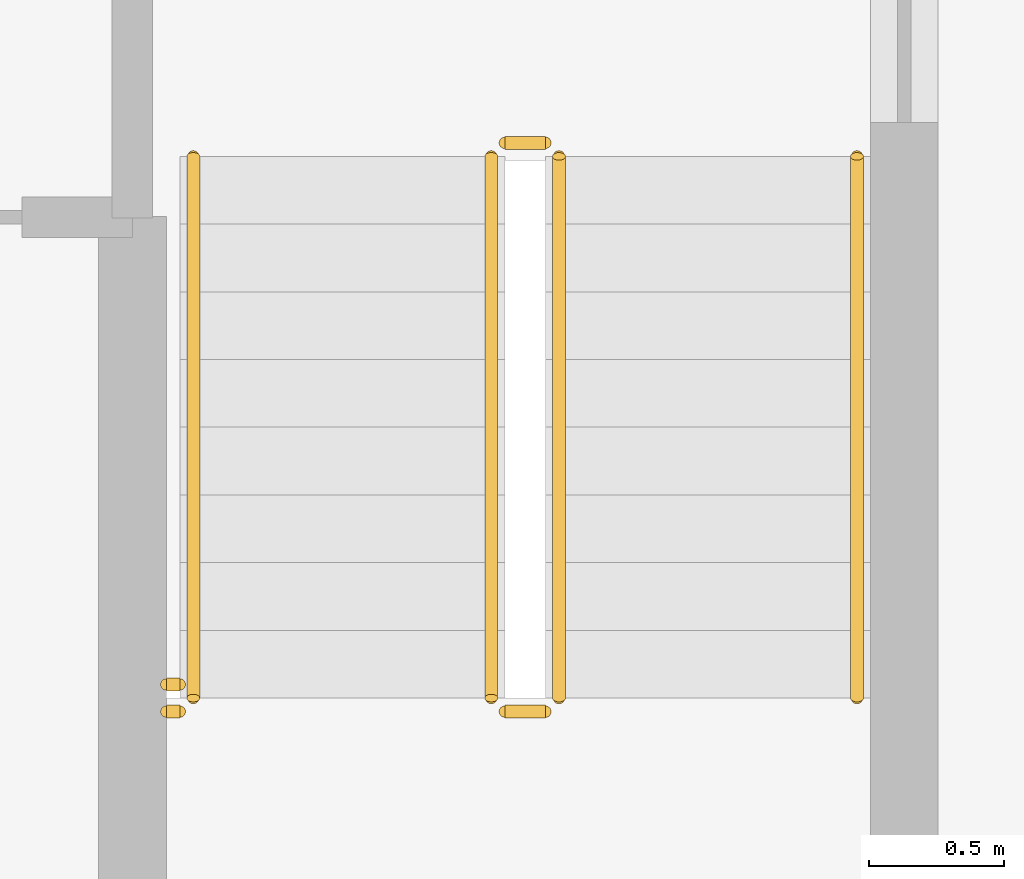
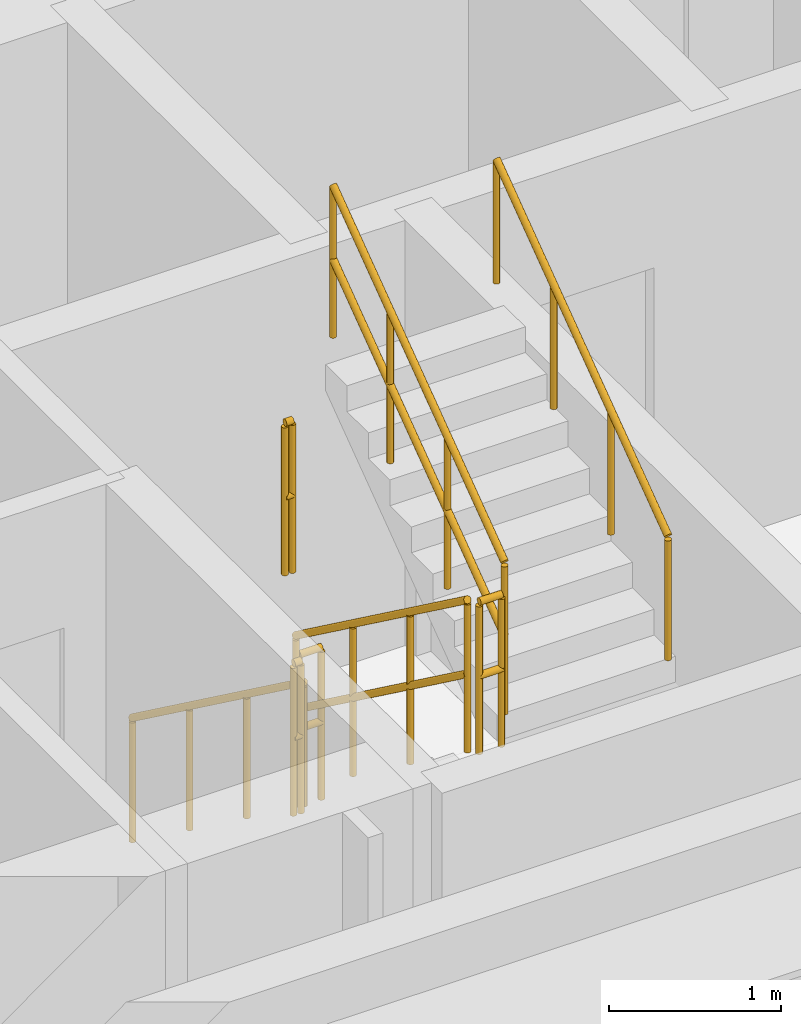
# One storey, part 15 of 17: 8 railings.
"""IFC4 building model written with IfcOpenShell, lengths in metres."""

from ifc_helpers import new_model, si_unit, direction, frame, origin, origin_2d, place, context, subcontext, project, spatial, circle, extrude, material, type_object, element, save


model = new_model("IFC4")

# Units and contexts
model_context = context("Model", 3, precision=1e-05, world=origin(), true_north=direction((0.0, 1.0)))
body_context = subcontext(model_context, "Body", "Model", "MODEL_VIEW")
ifc_project = project(units=[si_unit("LENGTHUNIT", "METRE"), si_unit("AREAUNIT", "SQUARE_METRE"), si_unit("VOLUMEUNIT", "CUBIC_METRE"), si_unit("PLANEANGLEUNIT", "RADIAN"), si_unit("MASSUNIT", "GRAM", prefix="KILO")], contexts=[model_context])

# Site, building, storey
site_placement = place(None, origin())
site = spatial("IfcSite", under=ifc_project, at=site_placement, CompositionType="ELEMENT")
building_placement = place(site_placement, origin())
building = spatial("IfcBuilding", under=site, at=building_placement, Name="Nakaniwa Court", CompositionType="ELEMENT")
storey_placement = place(building_placement, frame((0.0, 0.0, 203.10009765625)))
storey = spatial("IfcBuildingStorey", under=building, at=storey_placement, Name="L53", CompositionType="ELEMENT", Elevation=203.10009765625)

# Railings
ifc_material_1 = material(Name="Black powder coated steel guard", Category="steel")
railing_type_1 = type_object("IfcRailingType", Name="Stair guard 1100", PredefinedType="GUARDRAIL", material=ifc_material_1)
railing_1_placement = place(storey_placement, frame((81.875, 61.824951171875, 0.183349609375)))
element("IfcRailing", 1, at=railing_1_placement, inside=storey, type_object=railing_type_1, Name="L53 ST4 stair guard 1", PredefinedType="GUARDRAIL", context=body_context, shape_type="SweptSolid", body=[
    extrude(circle(Radius=0.02392578125, at=origin_2d()), frame((0.0, 0.0, 1.076171875), z_axis=(0.0, -0.806426902644, 0.591333789573), x_axis=(1.0, 0.0, 0.0)), (0.0, 0.0, 1.0), 2.47998046875),
    extrude(circle(Radius=0.02392578125, at=origin_2d()), frame((0.0, 0.0, 0.550048828125), z_axis=(0.0, -0.806426902644, 0.591333789573), x_axis=(1.0, 0.0, 0.0)), (0.0, 0.0, 1.0), 2.47998046875),
    extrude(circle(Radius=0.02099609375, at=origin_2d()), origin(), (0.0, 0.0, 1.0), 1.052001953125),
    extrude(circle(Radius=0.02099609375, at=origin_2d()), frame((0.0, -0.666748046875, 0.48876953125)), (0.0, 0.0, 1.0), 1.052001953125),
    extrude(circle(Radius=0.02099609375, at=origin_2d()), frame((0.0, -1.333251953125, 0.977783203125)), (0.0, 0.0, 1.0), 1.052001953125),
    extrude(circle(Radius=0.02099609375, at=origin_2d()), frame((0.0, -2.0, 1.466552734375)), (0.0, 0.0, 1.0), 1.052001953125),
])
railing_2_placement = place(storey_placement, frame((81.925048828125, 59.77490234375, 1.64990234375)))
element("IfcRailing", 2, at=railing_2_placement, inside=storey, type_object=railing_type_1, Name="L53 ST4 stair guard 2", PredefinedType="GUARDRAIL", context=body_context, shape_type="SweptSolid", body=[
    extrude(circle(Radius=0.02392578125, at=origin_2d()), frame((0.0, 0.0, 1.076171875), z_axis=(1.0, 0.0, 0.0), x_axis=(0.0, 1.0, 0.0)), (0.0, 0.0, 1.0), 0.14990234375),
    extrude(circle(Radius=0.02392578125, at=origin_2d()), frame((0.0, 0.0, 0.550048828125), z_axis=(1.0, 0.0, 0.0), x_axis=(0.0, 1.0, 0.0)), (0.0, 0.0, 1.0), 0.14990234375),
    extrude(circle(Radius=0.02099609375, at=origin_2d()), origin(), (0.0, 0.0, 1.0), 1.052001953125),
    extrude(circle(Radius=0.02099609375, at=origin_2d()), frame((0.14990234375, 0.0, 0.0)), (0.0, 0.0, 1.0), 1.052001953125),
])
railing_3_placement = place(storey_placement, frame((82.125, 59.824951171875, 1.833251953125)))
element("IfcRailing", 3, at=railing_3_placement, inside=storey, type_object=railing_type_1, Name="L53 ST4 stair guard 3", PredefinedType="GUARDRAIL", context=body_context, shape_type="SweptSolid", body=[
    extrude(circle(Radius=0.02392578125, at=origin_2d()), frame((0.0, 0.0, 1.076171875), z_axis=(0.0, 0.806426902644, 0.591333789573), x_axis=(-1.0, 0.0, 0.0)), (0.0, 0.0, 1.0), 2.47998046875),
    extrude(circle(Radius=0.02392578125, at=origin_2d()), frame((0.0, 0.0, 0.550048828125), z_axis=(0.0, 0.806426902644, 0.591333789573), x_axis=(-1.0, 0.0, 0.0)), (0.0, 0.0, 1.0), 2.47998046875),
    extrude(circle(Radius=0.02099609375, at=origin_2d()), origin(), (0.0, 0.0, 1.0), 1.052001953125),
    extrude(circle(Radius=0.02099609375, at=origin_2d()), frame((0.0, 0.666748046875, 0.48876953125)), (0.0, 0.0, 1.0), 1.052001953125),
    extrude(circle(Radius=0.02099609375, at=origin_2d()), frame((0.0, 1.333251953125, 0.977783203125)), (0.0, 0.0, 1.0), 1.052001953125),
    extrude(circle(Radius=0.02099609375, at=origin_2d()), frame((0.0, 2.0, 1.466552734375)), (0.0, 0.0, 1.0), 1.052001953125),
])
railing_4_placement = place(storey_placement, frame((81.925048828125, 61.875, 0.0)))
element("IfcRailing", 4, at=railing_4_placement, inside=storey, type_object=railing_type_1, Name="L53 ST4 stair guard 4", PredefinedType="GUARDRAIL", context=body_context, shape_type="SweptSolid", body=[
    extrude(circle(Radius=0.02392578125, at=origin_2d()), frame((0.0, 0.0, 1.076171875), z_axis=(1.0, 0.0, 0.0), x_axis=(0.0, 1.0, 0.0)), (0.0, 0.0, 1.0), 0.14990234375),
    extrude(circle(Radius=0.02392578125, at=origin_2d()), frame((0.0, 0.0, 0.550048828125), z_axis=(1.0, 0.0, 0.0), x_axis=(0.0, 1.0, 0.0)), (0.0, 0.0, 1.0), 0.14990234375),
    extrude(circle(Radius=0.02099609375, at=origin_2d()), origin(), (0.0, 0.0, 1.0), 1.052001953125),
    extrude(circle(Radius=0.02099609375, at=origin_2d()), frame((0.14990234375, 0.0, 0.0)), (0.0, 0.0, 1.0), 1.052001953125),
])
for number, where, name in (
    (5, (80.675048828125, 59.77490234375, 1.64990234375), "L53 ST4 landing side guard 1W"),
    (6, (80.675048828125, 59.875, 3.2998046875), "L53 ST4 floor edge guard 1W"),
):
    element("IfcRailing", number, at=place(storey_placement, frame(where)), inside=storey, type_object=railing_type_1, Name=name, PredefinedType="GUARDRAIL", context=body_context, shape_type="SweptSolid", body=[
        extrude(circle(Radius=0.02392578125, at=origin_2d()), frame((0.0, 0.0, 1.076171875), z_axis=(1.0, 0.0, 0.0), x_axis=(0.0, 1.0, 0.0)), (0.0, 0.0, 1.0), 0.050048828125),
        extrude(circle(Radius=0.02392578125, at=origin_2d()), frame((0.0, 0.0, 0.550048828125), z_axis=(1.0, 0.0, 0.0), x_axis=(0.0, 1.0, 0.0)), (0.0, 0.0, 1.0), 0.050048828125),
        extrude(circle(Radius=0.02099609375, at=origin_2d()), origin(), (0.0, 0.0, 1.0), 1.052001953125),
        extrude(circle(Radius=0.02099609375, at=origin_2d()), frame((0.050048828125, 0.0, 0.0)), (0.0, 0.0, 1.0), 1.052001953125),
    ])
ifc_material_2 = material(Name="Black powder coated steel handrail", Category="steel")
railing_type_2 = type_object("IfcRailingType", Name="Stair handrail 900", PredefinedType="HANDRAIL", material=ifc_material_2)
railing_5_placement = place(storey_placement, frame((80.77490234375, 61.824951171875, 0.183349609375)))
element("IfcRailing", 7, at=railing_5_placement, inside=storey, type_object=railing_type_2, Name="L53 ST4 stair handrail 1", PredefinedType="HANDRAIL", context=body_context, shape_type="SweptSolid", body=[
    extrude(circle(Radius=0.02392578125, at=origin_2d()), frame((0.0, 0.0, 0.8759765625), z_axis=(0.0, -0.806426902644, 0.591333789573), x_axis=(1.0, 0.0, 0.0)), (0.0, 0.0, 1.0), 2.47998046875),
    extrude(circle(Radius=0.02099609375, at=origin_2d()), origin(), (0.0, 0.0, 1.0), 0.851806640625),
    extrude(circle(Radius=0.02099609375, at=origin_2d()), frame((0.0, -0.666748046875, 0.48876953125)), (0.0, 0.0, 1.0), 0.851806640625),
    extrude(circle(Radius=0.02099609375, at=origin_2d()), frame((0.0, -1.333251953125, 0.977783203125)), (0.0, 0.0, 1.0), 0.851806640625),
    extrude(circle(Radius=0.02099609375, at=origin_2d()), frame((0.0, -2.0, 1.466552734375)), (0.0, 0.0, 1.0), 0.851806640625),
])
railing_6_placement = place(storey_placement, frame((83.22509765625, 59.824951171875, 1.833251953125)))
element("IfcRailing", 8, at=railing_6_placement, inside=storey, type_object=railing_type_2, Name="L53 ST4 stair handrail 2", PredefinedType="HANDRAIL", context=body_context, shape_type="SweptSolid", body=[
    extrude(circle(Radius=0.02392578125, at=origin_2d()), frame((0.0, 0.0, 0.8759765625), z_axis=(0.0, 0.806426902644, 0.591333789573), x_axis=(-1.0, 0.0, 0.0)), (0.0, 0.0, 1.0), 2.47998046875),
    extrude(circle(Radius=0.02099609375, at=origin_2d()), origin(), (0.0, 0.0, 1.0), 0.851806640625),
    extrude(circle(Radius=0.02099609375, at=origin_2d()), frame((0.0, 0.666748046875, 0.48876953125)), (0.0, 0.0, 1.0), 0.851806640625),
    extrude(circle(Radius=0.02099609375, at=origin_2d()), frame((0.0, 1.333251953125, 0.977783203125)), (0.0, 0.0, 1.0), 0.851806640625),
    extrude(circle(Radius=0.02099609375, at=origin_2d()), frame((0.0, 2.0, 1.466552734375)), (0.0, 0.0, 1.0), 0.851806640625),
])

save(model, "model.ifc")
